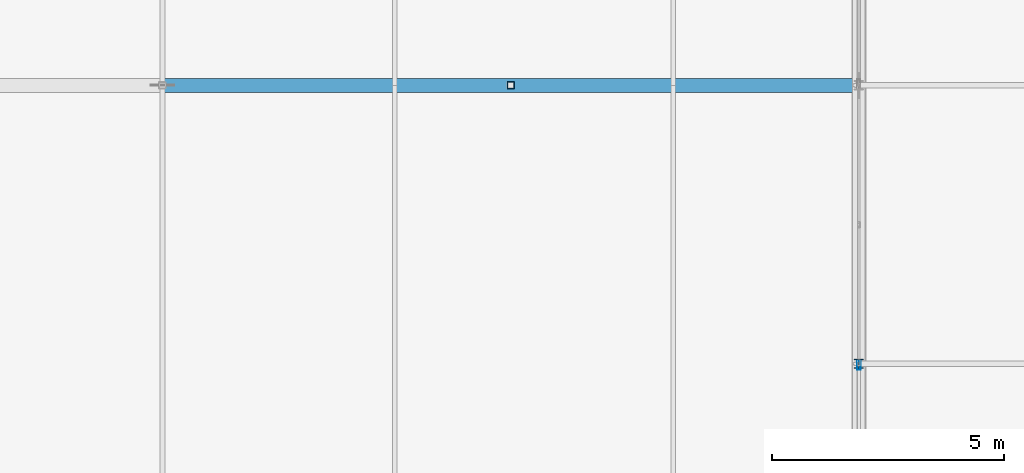
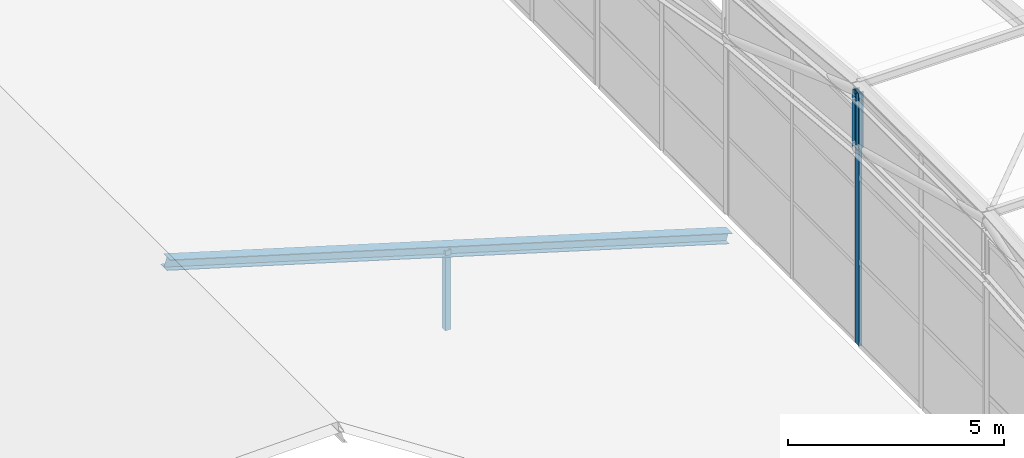
# One storey, part 32 of 204: 4 members, 1 element without a shape of its own.
"""IFC4 building model written with IfcOpenShell, lengths in metres."""

from ifc_helpers import new_model, si_unit, direction, frame, origin, origin_2d, place, context, subcontext, project, spatial, hollow_rectangle, i_section, extrude, material, layer, layer_set, material_profile, profile_set, type_object, element, aggregate, save


model = new_model("IFC4")

# Units and contexts
model_context = context("Model", 3, precision=1e-05, world=origin(), true_north=direction((0.0, 1.0)))
body_context = subcontext(model_context, "Body", "Model", "MODEL_VIEW")
ifc_project = project(units=[si_unit("LENGTHUNIT", "METRE"), si_unit("AREAUNIT", "SQUARE_METRE"), si_unit("VOLUMEUNIT", "CUBIC_METRE"), si_unit("PLANEANGLEUNIT", "RADIAN"), si_unit("MASSUNIT", "GRAM", prefix="KILO")], contexts=[model_context])

# Site, building, storey
site_placement = place(None, origin())
site = spatial("IfcSite", under=ifc_project, at=site_placement, CompositionType="ELEMENT")
building_placement = place(site_placement, origin())
building = spatial("IfcBuilding", under=site, at=building_placement, Name="Zilviju Railside Exhibition Hall", CompositionType="ELEMENT")
storey_placement = place(building_placement, frame((0.0, 0.0, 21.0)))
storey = spatial("IfcBuildingStorey", under=building, at=storey_placement, Name="RF", CompositionType="ELEMENT", Elevation=21.0)

# Curtain wall, member
ifc_material_1 = material(Name="Thermally broken aluminium-steel triple-glazed curtain wall", Category="steel")
ifc_layer = layer(ifc_material_1, 0.179931640625)
ifc_layer_set = layer_set([ifc_layer], Name="Thermally broken aluminium-steel triple-glazed curtain wall")
curtain_wall_type = type_object("IfcCurtainWallType", Name="CW-BAY-13", PredefinedType="USERDEFINED", material=ifc_layer_set)
curtain_wall_placement = place(storey_placement, origin())
curtain_wall = element("IfcCurtainWall", 1, at=curtain_wall_placement, inside=storey, type_object=curtain_wall_type, Name="South Hall Arch Tympanum Glazing West P5", ObjectType="GLAZED CURTAIN WALL", PredefinedType="USERDEFINED")
ifc_material_2 = material(Name="Thermally broken anodized aluminium mullion", Category="aluminium")
ifc_material_profile_1 = material_profile(ifc_material_2, hollow_rectangle(XDim=0.074951171875, YDim=0.18994140625, WallThickness=0.0048828125, at=origin_2d()), Name="MULLION 190x75x5")
ifc_profile_set_1 = profile_set([ifc_material_profile_1], Name="Thermally broken anodized aluminium mullion")
member_type_1 = type_object("IfcMemberType", Name="CWM-75x190", PredefinedType="MULLION", material=ifc_profile_set_1)
member_1_placement = place(storey_placement, frame((78.0, 29.96240234375, -7.800048828125), z_axis=(0.0, 0.0, 1.0), x_axis=(-1.0, 0.0, 0.0)))
member_1 = element("IfcMember", 2, at=member_1_placement, type_object=member_type_1, Name="CW-13 mullion 3", PredefinedType="MULLION", context=body_context, shape_type="SweptSolid", body=[
    extrude(hollow_rectangle(XDim=0.074951171875, YDim=0.18994140625, WallThickness=0.0048828125, at=origin_2d()), origin(), (0.0, 0.0, 1.0), 7.131103515625),
])
aggregate(curtain_wall, [member_1])

# Members
ifc_material_3 = material(Name="Steel S355ML", Category="steel")
ifc_material_profile_2 = material_profile(ifc_material_3, i_section(OverallWidth=0.199951171875, OverallDepth=0.18994140625, WebThickness=0.006591796875, FlangeThickness=0.010009765625, at=origin_2d()), Name="HEA 200")
ifc_profile_set_2 = profile_set([ifc_material_profile_2], Name="Steel S355ML")
member_type_2 = type_object("IfcMemberType", Name="TR-POST-HEA200", PredefinedType="POST", material=ifc_profile_set_2)
member_2_placement = place(storey_placement, frame((78.0, 30.0, -2.26904296875), z_axis=(0.0, 0.0, 1.0), x_axis=(1.0, 0.0, 0.0)))
element("IfcMember", 3, at=member_2_placement, inside=storey, type_object=member_type_2, Name="V1 Parabolic Arch Web Post X=78.0 N5", PredefinedType="POST", context=body_context, shape_type="SweptSolid", body=[
    extrude(i_section(OverallWidth=0.199951171875, OverallDepth=0.18994140625, WebThickness=0.006591796875, FlangeThickness=0.010009765625, at=origin_2d()), origin(), (0.0, 0.0, 1.0), 1.599853515625),
])
ifc_material_4 = material(Name="Steel S355J2", Category="steel")
ifc_material_profile_3 = material_profile(ifc_material_4, hollow_rectangle(XDim=0.14990234375, YDim=0.14990234375, WallThickness=0.008056640625, at=origin_2d()), Name="SHS 150x150x8.0")
ifc_profile_set_3 = profile_set([ifc_material_profile_3], Name="Steel S355J2")
member_type_3 = type_object("IfcMemberType", Name="TR-POST-SHS150", PredefinedType="POST", material=ifc_profile_set_3)
member_3_placement = place(storey_placement, frame((70.5, 36.0, -8.39990234375), z_axis=(0.0, 0.0, 1.0), x_axis=(1.0, 0.0, 0.0)))
element("IfcMember", 4, at=member_3_placement, inside=storey, type_object=member_type_3, Name="Concourse Saddle Queen Post Y=36.0", PredefinedType="POST", context=body_context, shape_type="SweptSolid", body=[
    extrude(hollow_rectangle(XDim=0.14990234375, YDim=0.14990234375, WallThickness=0.008056640625, at=origin_2d()), origin(), (0.0, 0.0, 1.0), 2.25),
])
ifc_material_profile_4 = material_profile(ifc_material_4, i_section(OverallWidth=0.300048828125, OverallDepth=0.2900390625, WebThickness=0.008544921875, FlangeThickness=0.013916015625, at=origin_2d()), Name="HEA 300")
ifc_profile_set_4 = profile_set([ifc_material_profile_4], Name="Steel S355J2")
member_type_4 = type_object("IfcMemberType", Name="TR-RAF-HEA300", PredefinedType="RAFTER", material=ifc_profile_set_4)
member_4_placement = place(storey_placement, frame((63.0, 36.0, -3.89990234375), z_axis=(0.957826285221, 0.0, -0.287347885566), x_axis=(0.0, 1.0, 0.0)))
element("IfcMember", 5, at=member_4_placement, inside=storey, type_object=member_type_4, Name="Concourse Saddle East Rafter Y=36.0", PredefinedType="RAFTER", context=body_context, shape_type="SweptSolid", body=[
    extrude(i_section(OverallWidth=0.300048828125, OverallDepth=0.2900390625, WebThickness=0.008544921875, FlangeThickness=0.013916015625, at=origin_2d()), origin(), (0.0, 0.0, 1.0), 15.660400390625),
])

save(model, "model.ifc")
